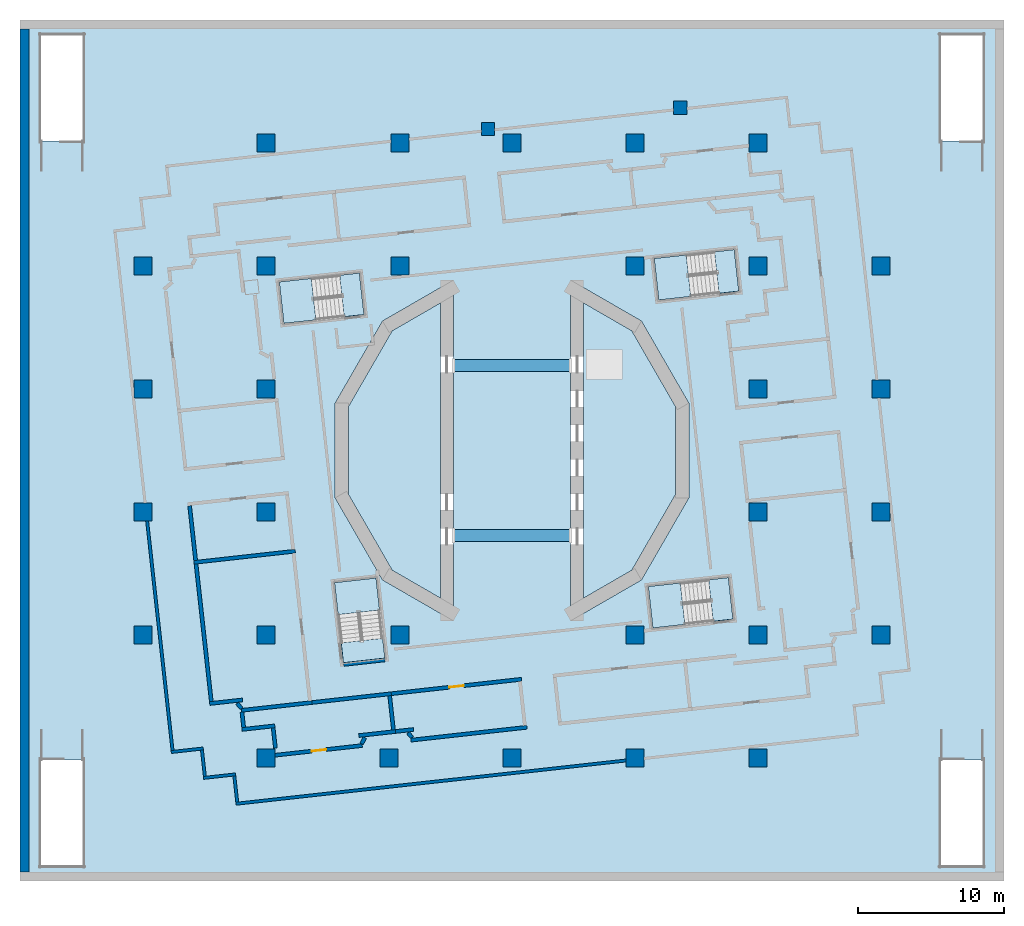
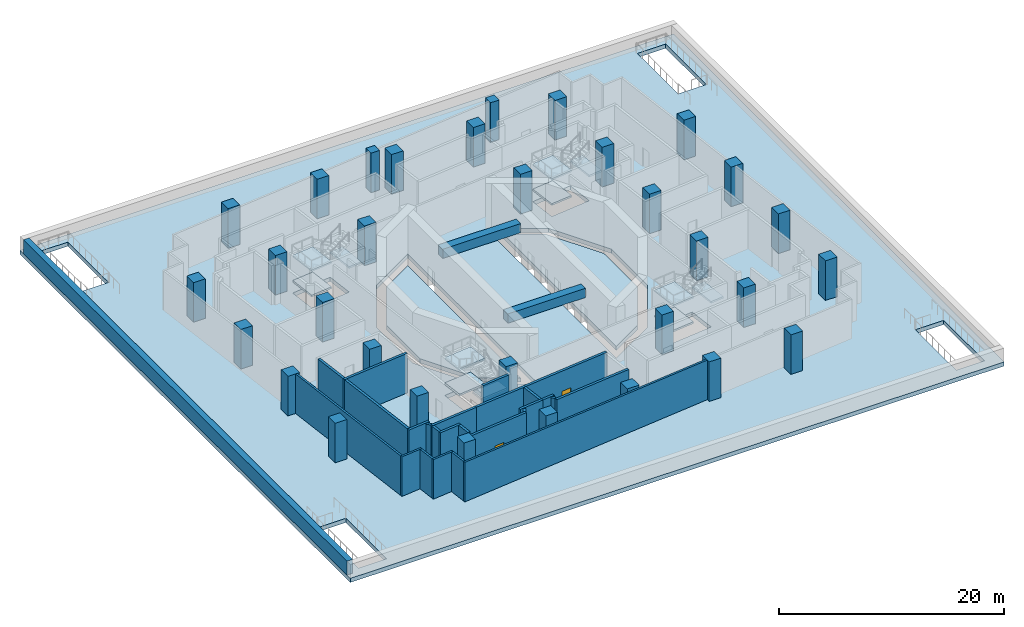
# One storey, part 1 of 12: 32 columns, 26 walls, 15 slabs, 2 beams, 2 doors, 2 openings, 4 elements without a shape of their own.
"""IFC4 building model written with IfcOpenShell, lengths in metres."""

from ifc_helpers import new_model, si_unit, direction, frame, frame_2d, origin, origin_2d, place, context, subcontext, project, spatial, polyline, rectangle, outline, extrude, material, layer, layer_set, material_profile, profile_set, type_object, element, fill, aggregate, save


model = new_model("IFC4")

# Units and contexts
model_context = context("Model", 3, precision=1e-05, world=origin(), true_north=direction((0.0, 1.0)))
body_context = subcontext(model_context, "Body", "Model", "MODEL_VIEW")
ifc_project = project(units=[si_unit("LENGTHUNIT", "METRE"), si_unit("AREAUNIT", "SQUARE_METRE"), si_unit("VOLUMEUNIT", "CUBIC_METRE"), si_unit("PLANEANGLEUNIT", "RADIAN"), si_unit("MASSUNIT", "GRAM", prefix="KILO")], contexts=[model_context])

# Site, building, storey
site_placement = place(None, origin())
site = spatial("IfcSite", under=ifc_project, at=site_placement, CompositionType="ELEMENT")
building_placement = place(site_placement, origin())
building = spatial("IfcBuilding", under=site, at=building_placement, Name="Cantera Rosa Tower", CompositionType="ELEMENT")
storey_placement = place(building_placement, frame((0.0, 0.0, 37.0)))
storey = spatial("IfcBuildingStorey", under=building, at=storey_placement, Name="L06", CompositionType="ELEMENT", Elevation=37.0)

# Columns
ifc_material_1 = material(Name="Concrete C60/75", Category="concrete")
ifc_material_profile_1 = material_profile(ifc_material_1, rectangle(XDim=1.199951171875, YDim=1.199951171875, at=origin_2d()), Name="Column 1200x1200")
ifc_profile_set_1 = profile_set([ifc_material_profile_1], Name="Concrete C60/75")
column_type_1 = type_object("IfcColumnType", Name="Column 1200x1200", PredefinedType="COLUMN", material=ifc_profile_set_1)
for number, where, z_axis, x_axis, name in (
    (1, (-25.199951171875, -12.60009765625, 0.0), (0.0, 0.0, 1.0), (1.0, 0.0, 0.0), "Column C-P-2C"),
    (2, (-25.199951171875, -4.199951171875, 0.0), (0.0, 0.0, 1.0), (1.0, 0.0, 0.0), "Column C-P-2D"),
    (3, (-25.199951171875, 4.199951171875, 0.0), (0.0, 0.0, 1.0), (1.0, 0.0, 0.0), "Column C-P-2E"),
    (4, (-25.199951171875, 12.60009765625, 0.0), (0.0, 0.0, 1.0), (1.0, 0.0, 0.0), "Column C-P-2F"),
    (5, (-16.800048828125, -21.0, 0.0), (0.0, 0.0, 1.0), (1.0, 0.0, 0.0), "Column C-P-3B"),
    (6, (-16.800048828125, -12.60009765625, 0.0), (0.0, 0.0, 1.0), (1.0, 0.0, 0.0), "Column C-P-3C"),
    (7, (-16.800048828125, -4.199951171875, 0.0), (0.0, 0.0, 1.0), (1.0, 0.0, 0.0), "Column C-P-3D"),
    (8, (-16.800048828125, 4.199951171875, 0.0), (0.0, 0.0, 1.0), (1.0, 0.0, 0.0), "Column C-P-3E"),
    (9, (-16.800048828125, 12.60009765625, 0.0), (0.0, 0.0, 1.0), (1.0, 0.0, 0.0), "Column C-P-3F"),
    (10, (-16.800048828125, 21.0, 0.0), (0.0, 0.0, 1.0), (1.0, 0.0, 0.0), "Column C-P-3G"),
    (11, (-8.39990234375, -21.0, 0.0), (0.0, 0.0, 1.0), (1.0, 0.0, 0.0), "Column C-P-4B"),
    (12, (-7.64990234375, -12.60009765625, 0.0), (0.0, 0.0, 1.0), (1.0, 0.0, 0.0), "Column C-P-4C"),
    (13, (-7.64990234375, 12.60009765625, 0.0), (0.0, 0.0, 1.0), (1.0, 0.0, 0.0), "Column C-B-4N2"),
    (14, (-7.64990234375, 21.0, 0.0), (0.0, 0.0, 1.0), (1.0, 0.0, 0.0), "Column C-B-4N3"),
    (15, (0.0, -21.0, 0.0), (0.0, 0.0, 1.0), (1.0, 0.0, 0.0), "Column C-P-5B"),
    (16, (0.0, 21.0, 0.0), (0.0, 0.0, 1.0), (1.0, 0.0, 0.0), "Column C-P-5G"),
    (17, (8.39990234375, -21.0, 0.0), (0.0, 0.0, 1.0), (1.0, 0.0, 0.0), "Column C-P-6B"),
    (18, (8.39990234375, -12.60009765625, 0.0), (0.0, 0.0, 1.0), (1.0, 0.0, 0.0), "Column C-P-6C"),
    (19, (8.39990234375, 12.60009765625, 0.0), (0.0, 0.0, 1.0), (1.0, 0.0, 0.0), "Column C-P-6F"),
    (20, (8.39990234375, 21.0, 0.0), (0.0, 0.0, 1.0), (1.0, 0.0, 0.0), "Column C-P-6G"),
    (21, (16.800048828125, -21.0, 0.0), (0.0, 0.0, 1.0), (1.0, 0.0, 0.0), "Column C-P-7B"),
    (22, (16.800048828125, -12.60009765625, 0.0), (0.0, 0.0, 1.0), (1.0, 0.0, 0.0), "Column C-P-7C"),
    (23, (16.800048828125, -4.199951171875, 0.0), (0.0, 0.0, 1.0), (1.0, 0.0, 0.0), "Column C-P-7D"),
    (24, (16.800048828125, 4.199951171875, 0.0), (0.0, 0.0, 1.0), (1.0, 0.0, 0.0), "Column C-P-7E"),
    (25, (16.800048828125, 12.60009765625, 0.0), (0.0, 0.0, 1.0), (1.0, 0.0, 0.0), "Column C-P-7F"),
    (26, (16.800048828125, 21.0, 0.0), (0.0, 0.0, 1.0), (1.0, 0.0, 0.0), "Column C-P-7G"),
    (27, (25.199951171875, -12.60009765625, 0.0), (0.0, 0.0, 1.0), (1.0, 0.0, 0.0), "Column C-P-8C"),
    (28, (25.199951171875, -4.199951171875, 0.0), (0.0, 0.0, 1.0), (1.0, 0.0, 0.0), "Column C-P-8D"),
    (29, (25.199951171875, 4.199951171875, 0.0), (0.0, 0.0, 1.0), (1.0, 0.0, 0.0), "Column C-P-8E"),
    (30, (25.199951171875, 12.60009765625, 0.0), (0.0, 0.0, 1.0), (1.0, 0.0, 0.0), "Column C-P-8F"),
):
    element("IfcColumn", number, at=place(storey_placement, frame(where, z_axis=z_axis, x_axis=x_axis)), inside=storey, type_object=column_type_1, Name=name, PredefinedType="COLUMN", context=body_context, shape_type="SweptSolid", body=[
        extrude(rectangle(XDim=1.199951171875, YDim=1.199951171875, at=origin_2d()), origin(), (0.0, 0.0, 1.0), 4.300048828125),
    ])
ifc_material_2 = material(Name="Concrete C70/85", Category="concrete")
ifc_material_profile_2 = material_profile(ifc_material_2, rectangle(XDim=0.89990234375, YDim=0.89990234375, at=origin_2d()), Name="RC COLUMN RC900X900 C70/85")
ifc_profile_set_2 = profile_set([ifc_material_profile_2], Name="Concrete C70/85")
column_type_2 = type_object("IfcColumnType", Name="RC COLUMN RC900X900 C70/85", PredefinedType="COLUMN", material=ifc_profile_set_2)
for number, where, z_axis, x_axis, name in (
    (31, (11.48779296875, 23.41015625, 0.0), (0.0, 0.0, 1.0), (1.0, 0.0, 0.0), "CP-L07-1 L06"),
    (32, (-1.6318359375, 21.9541015625, 0.0), (0.0, 0.0, 1.0), (1.0, 0.0, 0.0), "CP-L07-2 L06"),
):
    element("IfcColumn", number, at=place(storey_placement, frame(where, z_axis=z_axis, x_axis=x_axis)), inside=storey, type_object=column_type_2, Name=name, PredefinedType="COLUMN", context=body_context, shape_type="SweptSolid", body=[
        extrude(rectangle(XDim=0.89990234375, YDim=0.89990234375, at=origin_2d()), origin(), (0.0, 0.0, 1.0), 4.300048828125),
    ])

# Beams
ifc_material_3 = material(Name="Concrete C70/85", Category="concrete")
ifc_material_profile_3 = material_profile(ifc_material_3, rectangle(XDim=0.800048828125, YDim=1.0, at=origin_2d()), Name="RC COUPLING BEAM RC800X1000 C70/85")
ifc_profile_set_3 = profile_set([ifc_material_profile_3], Name="Concrete C70/85")
beam_type = type_object("IfcBeamType", Name="RC COUPLING BEAM RC800X1000 C70/85", PredefinedType="BEAM", material=ifc_profile_set_3)
for number, where, z_axis, x_axis, name in (
    (33, (-4.0, -5.800048828125, 3.800048828125), (1.0, 0.0, 0.0), (0.0, 1.0, 0.0), "CPL-L06-1"),
    (34, (-4.0, 5.800048828125, 3.800048828125), (1.0, 0.0, 0.0), (0.0, 1.0, 0.0), "CPL-L06-2"),
):
    element("IfcBeam", number, at=place(storey_placement, frame(where, z_axis=z_axis, x_axis=x_axis)), inside=storey, type_object=beam_type, Name=name, PredefinedType="BEAM", context=body_context, shape_type="SweptSolid", body=[
        extrude(rectangle(XDim=0.800048828125, YDim=1.0, at=origin_2d()), origin(), (0.0, 0.0, 1.0), 8.0),
    ])

# Slabs
ifc_material_4 = material(Name="Concrete C50/60", Category="concrete")
ifc_layer_1 = layer(ifc_material_4, 0.449951171875)
ifc_layer_set_1 = layer_set([ifc_layer_1], Name="RC TRANSFER PLATE 450 C50/60")
slab_type_1 = type_object("IfcSlabType", Name="RC TRANSFER PLATE 450 C50/60", PredefinedType="FLOOR", material=ifc_layer_set_1)
slab_1_placement = place(storey_placement, frame((0.0, 0.0, -0.449951171875)))
element("IfcSlab", 35, at=slab_1_placement, inside=storey, type_object=slab_type_1, Name="SLAB L06 floor 1", PredefinedType="FLOOR", context=body_context, shape_type="SweptSolid", body=[
    extrude(outline(polyline([(-8.179931640625, 8.179931640625), (-4.89990234375, 10.07373046875), (-4.89990234375, -10.07373046875), (-8.179931640625, -8.179931640625), (-11.174072265625, -2.994140625), (-11.174072265625, 2.994140625), (-8.179931640625, 8.179931640625)])), origin(), (0.0, 0.0, 1.0), 0.449951171875),
])
slab_2_placement = place(storey_placement, frame((0.0, 0.0, -0.449951171875)))
element("IfcSlab", 36, at=slab_2_placement, inside=storey, type_object=slab_type_1, Name="SLAB L06 floor 2", PredefinedType="FLOOR", context=body_context, shape_type="SweptSolid", body=[
    extrude(outline(polyline([(33.60009765625, 29.39990234375), (33.60009765625, -29.39990234375), (-33.60009765625, -29.39990234375), (-33.60009765625, 29.39990234375), (33.60009765625, 29.39990234375)]), holes=[polyline([(-29.27490234375, -21.136962890625), (-32.175048828125, -21.136962890625), (-32.175048828125, -28.375), (-29.27490234375, -28.375), (-29.27490234375, -21.136962890625)]), polyline([(32.175048828125, -21.136962890625), (29.27490234375, -21.136962890625), (29.27490234375, -28.375), (32.175048828125, -28.375), (32.175048828125, -21.136962890625)]), polyline([(-9.287109375, -8.709716796875), (-12.11962890625, -9.02392578125), (-11.6630859375, -13.13671875), (-8.83056640625, -12.822265625), (-9.287109375, -8.709716796875)]), polyline([(13.42236328125, -8.83056640625), (9.3095703125, -9.287109375), (9.6240234375, -12.11962890625), (13.73681640625, -11.6630859375), (13.42236328125, -8.83056640625)]), polyline([(-8.8388671875, 8.8388671875), (-12.07421875, 3.235107421875), (-12.07421875, -3.235107421875), (-8.8388671875, -8.8388671875), (-4.0, -11.632568359375), (-4.0, 11.632568359375), (-8.8388671875, 8.8388671875)]), polyline([(12.07421875, -3.235107421875), (12.07421875, 3.235107421875), (8.8388671875, 8.8388671875), (4.0, 11.632568359375), (4.0, -11.632568359375), (8.8388671875, -8.8388671875), (12.07421875, -3.235107421875)]), polyline([(-15.890380859375, 11.512939453125), (-15.575927734375, 8.680419921875), (-11.46337890625, 9.13671875), (-11.777587890625, 11.969482421875), (-15.890380859375, 11.512939453125)]), polyline([(9.709716796875, 13.11279296875), (10.02392578125, 10.2802734375), (14.13671875, 10.73681640625), (13.822265625, 13.5693359375), (9.709716796875, 13.11279296875)]), polyline([(-32.175048828125, 28.375), (-32.175048828125, 21.136962890625), (-29.27490234375, 21.136962890625), (-29.27490234375, 28.375), (-32.175048828125, 28.375)]), polyline([(29.27490234375, 28.375), (29.27490234375, 21.136962890625), (32.175048828125, 21.136962890625), (32.175048828125, 28.375), (29.27490234375, 28.375)])]), origin(), (0.0, 0.0, 1.0), 0.449951171875),
])
slab_3_placement = place(storey_placement, frame((0.0, 0.0, -0.449951171875)))
element("IfcSlab", 37, at=slab_3_placement, inside=storey, type_object=slab_type_1, Name="SLAB L06 floor 3", PredefinedType="FLOOR", context=body_context, shape_type="SweptSolid", body=[
    extrude(outline(polyline([(4.89990234375, -10.07373046875), (4.89990234375, 10.07373046875), (8.179931640625, 8.179931640625), (11.174072265625, 2.994140625), (11.174072265625, -2.994140625), (8.179931640625, -8.179931640625), (4.89990234375, -10.07373046875)])), origin(), (0.0, 0.0, 1.0), 0.449951171875),
])

# Stair, slabs
ifc_material_5 = material(Name="Concrete C35/45", Category="concrete")
stair_type = type_object("IfcStairType", Name="EXIT STAIR 1350 DOGLEG", PredefinedType="HALF_TURN_STAIR", material=ifc_material_5)
stair_1_placement = place(storey_placement, origin())
stair_1 = element("IfcStair", 38, at=stair_1_placement, inside=storey, type_object=stair_type, Name="L06 ST-11", PredefinedType="HALF_TURN_STAIR")
ifc_material_6 = material(Name="Concrete C35/45", Category="concrete")
ifc_layer_2 = layer(ifc_material_6, 0.199951171875)
ifc_layer_set_2 = layer_set([ifc_layer_2], Name="STAIR LANDING 200")
slab_type_2 = type_object("IfcSlabType", Name="STAIR LANDING 200", PredefinedType="LANDING", material=ifc_layer_set_2)
slab_4_placement = place(storey_placement, frame((0.0, 0.0, 1.175048828125)))
slab_4 = element("IfcSlab", 39, at=slab_4_placement, type_object=slab_type_2, Name="ST-11 landing 1", PredefinedType="LANDING", context=body_context, shape_type="SweptSolid", body=[
    extrude(outline(polyline([(11.898193359375, 13.35595703125), (9.70947265625, 13.113037109375), (10.02392578125, 10.2802734375), (12.212646484375, 10.523193359375), (11.898193359375, 13.35595703125)])), origin(), (0.0, 0.0, 1.0), 0.199951171875),
])
slab_5_placement = place(storey_placement, frame((0.0, 0.0, 2.550048828125)))
slab_5 = element("IfcSlab", 40, at=slab_5_placement, type_object=slab_type_2, Name="ST-11 landing 2", PredefinedType="LANDING", context=body_context, shape_type="SweptSolid", body=[
    extrude(outline(polyline([(15.176025390625, 13.7197265625), (13.822265625, 13.5693359375), (14.13671875, 10.73681640625), (15.490478515625, 10.886962890625), (15.176025390625, 13.7197265625)])), origin(), (0.0, 0.0, 1.0), 0.199951171875),
])
slab_6_placement = place(storey_placement, frame((0.0, 0.0, 3.925048828125)))
slab_6 = element("IfcSlab", 41, at=slab_6_placement, type_object=slab_type_2, Name="ST-11 landing 3", PredefinedType="LANDING", context=body_context, shape_type="SweptSolid", body=[
    extrude(outline(polyline([(11.898193359375, 13.35595703125), (9.70947265625, 13.113037109375), (10.02392578125, 10.2802734375), (12.212646484375, 10.523193359375), (11.898193359375, 13.35595703125)])), origin(), (0.0, 0.0, 1.0), 0.199951171875),
])
aggregate(stair_1, [slab_4, slab_5, slab_6])

stair_2_placement = place(storey_placement, origin())
stair_2 = element("IfcStair", 42, at=stair_2_placement, inside=storey, type_object=stair_type, Name="L06 ST-12", PredefinedType="HALF_TURN_STAIR")
slab_7_placement = place(storey_placement, frame((0.0, 0.0, 1.175048828125)))
slab_7 = element("IfcSlab", 43, at=slab_7_placement, type_object=slab_type_2, Name="ST-12 landing 1", PredefinedType="LANDING", context=body_context, shape_type="SweptSolid", body=[
    extrude(outline(polyline([(-13.701904296875, 11.755859375), (-15.890380859375, 11.512939453125), (-15.575927734375, 8.680419921875), (-13.387451171875, 8.92333984375), (-13.701904296875, 11.755859375)])), origin(), (0.0, 0.0, 1.0), 0.199951171875),
])
slab_8_placement = place(storey_placement, frame((0.0, 0.0, 2.550048828125)))
slab_8 = element("IfcSlab", 44, at=slab_8_placement, type_object=slab_type_2, Name="ST-12 landing 2", PredefinedType="LANDING", context=body_context, shape_type="SweptSolid", body=[
    extrude(outline(polyline([(-10.424072265625, 12.11962890625), (-11.777587890625, 11.969482421875), (-11.46337890625, 9.13671875), (-10.109619140625, 9.287109375), (-10.424072265625, 12.11962890625)])), origin(), (0.0, 0.0, 1.0), 0.199951171875),
])
slab_9_placement = place(storey_placement, frame((0.0, 0.0, 3.925048828125)))
slab_9 = element("IfcSlab", 45, at=slab_9_placement, type_object=slab_type_2, Name="ST-12 landing 3", PredefinedType="LANDING", context=body_context, shape_type="SweptSolid", body=[
    extrude(outline(polyline([(-13.701904296875, 11.755859375), (-15.890380859375, 11.512939453125), (-15.575927734375, 8.680419921875), (-13.387451171875, 8.92333984375), (-13.701904296875, 11.755859375)])), origin(), (0.0, 0.0, 1.0), 0.199951171875),
])
aggregate(stair_2, [slab_7, slab_8, slab_9])

stair_3_placement = place(storey_placement, origin())
stair_3 = element("IfcStair", 46, at=stair_3_placement, inside=storey, type_object=stair_type, Name="L06 ST-13", PredefinedType="HALF_TURN_STAIR")
slab_10_placement = place(storey_placement, frame((0.0, 0.0, 1.175048828125)))
slab_10 = element("IfcSlab", 47, at=slab_10_placement, type_object=slab_type_2, Name="ST-13 landing 1", PredefinedType="LANDING", context=body_context, shape_type="SweptSolid", body=[
    extrude(outline(polyline([(-9.044189453125, -10.898193359375), (-9.287109375, -8.70947265625), (-12.11962890625, -9.02392578125), (-11.876708984375, -11.212646484375), (-9.044189453125, -10.898193359375)])), origin(), (0.0, 0.0, 1.0), 0.199951171875),
])
slab_11_placement = place(storey_placement, frame((0.0, 0.0, 2.550048828125)))
slab_11 = element("IfcSlab", 48, at=slab_11_placement, type_object=slab_type_2, Name="ST-13 landing 2", PredefinedType="LANDING", context=body_context, shape_type="SweptSolid", body=[
    extrude(outline(polyline([(-8.680419921875, -14.176025390625), (-8.83056640625, -12.822265625), (-11.6630859375, -13.13671875), (-11.512939453125, -14.490478515625), (-8.680419921875, -14.176025390625)])), origin(), (0.0, 0.0, 1.0), 0.199951171875),
])
slab_12_placement = place(storey_placement, frame((0.0, 0.0, 3.925048828125)))
slab_12 = element("IfcSlab", 49, at=slab_12_placement, type_object=slab_type_2, Name="ST-13 landing 3", PredefinedType="LANDING", context=body_context, shape_type="SweptSolid", body=[
    extrude(outline(polyline([(-9.044189453125, -10.898193359375), (-9.287109375, -8.70947265625), (-12.11962890625, -9.02392578125), (-11.876708984375, -11.212646484375), (-9.044189453125, -10.898193359375)])), origin(), (0.0, 0.0, 1.0), 0.199951171875),
])
aggregate(stair_3, [slab_10, slab_11, slab_12])

stair_4_placement = place(storey_placement, origin())
stair_4 = element("IfcStair", 50, at=stair_4_placement, inside=storey, type_object=stair_type, Name="L06 ST-14", PredefinedType="HALF_TURN_STAIR")
slab_13_placement = place(storey_placement, frame((0.0, 0.0, 1.175048828125)))
slab_13 = element("IfcSlab", 51, at=slab_13_placement, type_object=slab_type_2, Name="ST-14 landing 1", PredefinedType="LANDING", context=body_context, shape_type="SweptSolid", body=[
    extrude(outline(polyline([(11.498046875, -9.044189453125), (9.3095703125, -9.287109375), (9.6240234375, -12.11962890625), (11.8125, -11.876708984375), (11.498046875, -9.044189453125)])), origin(), (0.0, 0.0, 1.0), 0.199951171875),
])
slab_14_placement = place(storey_placement, frame((0.0, 0.0, 2.550048828125)))
slab_14 = element("IfcSlab", 52, at=slab_14_placement, type_object=slab_type_2, Name="ST-14 landing 2", PredefinedType="LANDING", context=body_context, shape_type="SweptSolid", body=[
    extrude(outline(polyline([(14.776123046875, -8.680419921875), (13.42236328125, -8.83056640625), (13.73681640625, -11.6630859375), (15.09033203125, -11.512939453125), (14.776123046875, -8.680419921875)])), origin(), (0.0, 0.0, 1.0), 0.199951171875),
])
slab_15_placement = place(storey_placement, frame((0.0, 0.0, 3.925048828125)))
slab_15 = element("IfcSlab", 53, at=slab_15_placement, type_object=slab_type_2, Name="ST-14 landing 3", PredefinedType="LANDING", context=body_context, shape_type="SweptSolid", body=[
    extrude(outline(polyline([(11.498046875, -9.044189453125), (9.3095703125, -9.287109375), (9.6240234375, -12.11962890625), (11.8125, -11.876708984375), (11.498046875, -9.044189453125)])), origin(), (0.0, 0.0, 1.0), 0.199951171875),
])
aggregate(stair_4, [slab_13, slab_14, slab_15])

# Walls
ifc_material_7 = material(Name="Masonry blockwork", Category="masonry")
ifc_layer_3 = layer(ifc_material_7, 0.199951171875)
ifc_layer_set_3 = layer_set([ifc_layer_3], Name="Blockwork partition 200")
wall_type_1 = type_object("IfcWallType", Name="Blockwork partition 200", PredefinedType="PARTITIONING", material=ifc_layer_set_3)
wall_1_placement = place(storey_placement, frame((-18.76513671875, -24.0166015625, 0.0), z_axis=(0.0, 0.0, 1.0), x_axis=(-0.110401753874, 0.993887042245, 0.0)))
element("IfcWall", 54, at=wall_1_placement, inside=storey, type_object=wall_type_1, Name="Partition L06-110", PredefinedType="PARTITIONING", context=body_context, shape_type="SweptSolid", body=[
    extrude(rectangle(XDim=1.800048828125, YDim=0.199951171875, at=frame_2d((0.89990234375, 0.0))), origin(), (0.0, 0.0, 1.0), 4.300048828125),
])
wall_2_placement = place(storey_placement, frame((-23.2705078125, -20.5927734375, 0.0), z_axis=(0.0, 0.0, 1.0), x_axis=(0.99389861097, 0.11029755714, 0.0)))
element("IfcWall", 55, at=wall_2_placement, inside=storey, type_object=wall_type_1, Name="Partition L06-124", PredefinedType="PARTITIONING", context=body_context, shape_type="SweptSolid", body=[
    extrude(rectangle(XDim=2.2001953125, YDim=0.199951171875, at=frame_2d((1.10009765625, 0.0))), origin(), (0.0, 0.0, 1.0), 4.300048828125),
])
wall_3_placement = place(storey_placement, frame((-21.06201171875, -22.35986328125, 0.0), z_axis=(0.0, 0.0, 1.0), x_axis=(0.993897260817, 0.110309722784, 0.0)))
element("IfcWall", 56, at=wall_3_placement, inside=storey, type_object=wall_type_1, Name="Partition L06-126", PredefinedType="PARTITIONING", context=body_context, shape_type="SweptSolid", body=[
    extrude(rectangle(XDim=2.199951171875, YDim=0.199951171875, at=frame_2d((1.10009765625, 0.0))), origin(), (0.0, 0.0, 1.0), 4.300048828125),
])
wall_4_placement = place(storey_placement, frame((-18.853515625, -24.126953125, 0.0), z_axis=(0.0, 0.0, 1.0), x_axis=(0.993896821063, 0.11031368492, 0.0)))
element("IfcWall", 57, at=wall_4_placement, inside=storey, type_object=wall_type_1, Name="Partition L06-128", PredefinedType="PARTITIONING", context=body_context, shape_type="SweptSolid", body=[
    extrude(rectangle(XDim=26.832275390625, YDim=0.199951171875, at=frame_2d((13.416015625, 0.0))), origin(), (0.0, 0.0, 1.0), 4.300048828125),
])
wall_5_placement = place(storey_placement, frame((-20.9736328125, -22.24951171875, 0.0), z_axis=(0.0, 0.0, 1.0), x_axis=(-0.110267775292, 0.993901915549, 0.0)))
element("IfcWall", 58, at=wall_5_placement, inside=storey, type_object=wall_type_1, Name="Partition L06-130", PredefinedType="PARTITIONING", context=body_context, shape_type="SweptSolid", body=[
    extrude(rectangle(XDim=1.800048828125, YDim=0.199951171875, at=frame_2d((0.89990234375, 0.0))), origin(), (0.0, 0.0, 1.0), 4.300048828125),
])
wall_6_placement = place(storey_placement, frame((-23.181884765625, -20.482421875, 0.0), z_axis=(0.0, 0.0, 1.0), x_axis=(-0.110317938061, 0.993896348993, 0.0)))
element("IfcWall", 59, at=wall_6_placement, inside=storey, type_object=wall_type_1, Name="Partition L06-132", PredefinedType="PARTITIONING", context=body_context, shape_type="SweptSolid", body=[
    extrude(rectangle(XDim=15.8056640625, YDim=0.199951171875, at=frame_2d((7.90283203125, 0.0))), origin(), (0.0, 0.0, 1.0), 4.300048828125),
])
ifc_material_8 = material(Name="Masonry blockwork", Category="masonry")
ifc_layer_4 = layer(ifc_material_8, 0.25)
ifc_layer_set_4 = layer_set([ifc_layer_4], Name="Fire-rated wall 250")
wall_type_2 = type_object("IfcWallType", Name="Fire-rated wall 250", PredefinedType="PARTITIONING", material=ifc_layer_set_4)
wall_7_placement = place(storey_placement, frame((-18.32568359375, -18.912109375, 0.0), z_axis=(0.0, 0.0, 1.0), x_axis=(-0.110201865026, 0.993909225707, 0.0)))
element("IfcWall", 60, at=wall_7_placement, inside=storey, type_object=wall_type_2, Name="Fire wall L06-17", PredefinedType="PARTITIONING", context=body_context, shape_type="SweptSolid", body=[
    extrude(rectangle(XDim=1.050048828125, YDim=0.25, at=frame_2d((0.52490234375, 0.0))), origin(), (0.0, 0.0, 1.0), 4.300048828125),
])
wall_8_placement = place(storey_placement, frame((-18.468994140625, -17.619873046875, 0.0), z_axis=(0.0, 0.0, 1.0), x_axis=(-0.647265523575, 0.762264614154, 0.0)))
element("IfcWall", 61, at=wall_8_placement, inside=storey, type_object=wall_type_2, Name="Fire wall L06-18", PredefinedType="PARTITIONING", context=body_context, shape_type="SweptSolid", body=[
    extrude(rectangle(XDim=0.462890625, YDim=0.25, at=frame_2d((0.2314453125, 0.0))), origin(), (0.0, 0.0, 1.0), 4.300048828125),
])
wall_9_placement = place(storey_placement, frame((-16.156494140625, -20.324951171875, 0.0), z_axis=(0.0, 0.0, 1.0), x_axis=(-0.110354623568, 0.993892276385, 0.0)))
element("IfcWall", 62, at=wall_9_placement, inside=storey, type_object=wall_type_2, Name="Fire wall L06-23", PredefinedType="PARTITIONING", context=body_context, shape_type="SweptSolid", body=[
    extrude(rectangle(XDim=1.393798828125, YDim=0.25, at=frame_2d((0.69677734375, 0.0))), origin(), (0.0, 0.0, 1.0), 4.300048828125),
])
wall_10_placement = place(storey_placement, frame((-8.0947265625, -19.07958984375, 0.0), z_axis=(0.0, 0.0, 1.0), x_axis=(-0.110351542432, 0.993892618487, 0.0)))
element("IfcWall", 63, at=wall_10_placement, inside=storey, type_object=wall_type_2, Name="Fire wall L06-29", PredefinedType="PARTITIONING", context=body_context, shape_type="SweptSolid", body=[
    extrude(rectangle(XDim=2.34521484375, YDim=0.25, at=frame_2d((1.172607421875, 0.0))), origin(), (0.0, 0.0, 1.0), 4.300048828125),
])
wall_11_placement = place(storey_placement, frame((-18.47998046875, -17.746826171875, 0.0), z_axis=(0.0, 0.0, 1.0), x_axis=(0.993899072422, 0.11029339889, 0.0)))
element("IfcWall", 64, at=wall_11_placement, inside=storey, type_object=wall_type_2, Name="Fire wall L06-47", PredefinedType="PARTITIONING", context=body_context, shape_type="SweptSolid", body=[
    extrude(rectangle(XDim=4.849853515625, YDim=0.25, at=frame_2d((2.4248046875, 0.0))), origin(), (0.0, 0.0, 1.0), 4.300048828125),
])
wall_12_placement = place(storey_placement, frame((-13.65966796875, -17.2119140625, 0.0), z_axis=(0.0, 0.0, 1.0), x_axis=(0.993894655727, 0.110333192277, 0.0)))
element("IfcWall", 65, at=wall_12_placement, inside=storey, type_object=wall_type_2, Name="Fire wall L06-48", PredefinedType="PARTITIONING", context=body_context, shape_type="SweptSolid", body=[
    extrude(rectangle(XDim=5.449951171875, YDim=0.25, at=frame_2d((2.72509765625, 0.0))), origin(), (0.0, 0.0, 1.0), 4.300048828125),
])

# Wall, opening, door
wall_13_placement = place(storey_placement, frame((-8.242919921875, -16.610595703125, 0.0), z_axis=(0.0, 0.0, 1.0), x_axis=(0.993896701795, 0.110314759491, 0.0)))
wall_13 = element("IfcWall", 66, at=wall_13_placement, inside=storey, type_object=wall_type_2, Name="Fire wall L06-49", PredefinedType="PARTITIONING", context=body_context, shape_type="SweptSolid", body=[
    extrude(rectangle(XDim=8.949951171875, YDim=0.25, at=frame_2d((4.47509765625, 0.0))), origin(), (0.0, 0.0, 1.0), 4.300048828125),
])
opening_1_placement = place(wall_13_placement, frame((3.97509765625, 0.0, 0.0)))
opening_1 = element("IfcOpeningElement", 67, at=opening_1_placement, cuts=wall_13, Name="Opening L06-010", PredefinedType="OPENING", context=body_context, shape_type="SweptSolid", body=[
    extrude(rectangle(XDim=1.0, YDim=2.10009765625, at=frame_2d((0.5, 1.050048828125))), frame((0.0, 0.135009765625, 0.0), z_axis=(0.0, -1.0, 0.0), x_axis=(1.0, 0.0, 0.0)), (0.0, 0.0, 1.0), 0.27001953125),
])
ifc_material_9 = material(Name="Steel S355J2 (EN 10025-2)", Category="steel")
door_type = type_object("IfcDoorType", Name="Fire door 1000x2100", OperationType="NOTDEFINED", PredefinedType="DOOR", material=ifc_material_9)
door_1_placement = place(opening_1_placement, origin())
door_1 = element("IfcDoor", 68, at=door_1_placement, inside=storey, type_object=door_type, Name="Door L06-010", OverallHeight=2.10009765625, OverallWidth=1.0, PredefinedType="DOOR", context=body_context, shape_type="SweptSolid", body=[
    extrude(rectangle(XDim=1.0, YDim=2.10009765625, at=frame_2d((0.5, 1.050048828125))), frame((0.0, 0.02490234375, 0.0), z_axis=(0.0, -1.0, 0.0), x_axis=(1.0, 0.0, 0.0)), (0.0, 0.0, 1.0), 0.050048828125),
])
fill(opening_1, door_1)

# Walls
wall_14_placement = place(storey_placement, frame((-21.714599609375, -7.64208984375, 0.0), z_axis=(0.0, 0.0, 1.0), x_axis=(0.993898291102, 0.110300439459, 0.0)))
element("IfcWall", 69, at=wall_14_placement, inside=storey, type_object=wall_type_2, Name="Fire wall L06-59", PredefinedType="PARTITIONING", context=body_context, shape_type="SweptSolid", body=[
    extrude(rectangle(XDim=6.9501953125, YDim=0.25, at=frame_2d((3.47509765625, 0.0))), origin(), (0.0, 0.0, 1.0), 4.300048828125),
])
for number, where, z_axis, x_axis, name in (
    (70, (-20.64453125, -17.28271484375, 0.0), (0.0, 0.0, 1.0), (0.993904888096, 0.110240978854, 0.0), "Fire wall L06-67"),
    (71, (-18.43603515625, -19.050048828125, 0.0), (0.0, 0.0, 1.0), (0.99389299368, 0.110348163163, 0.0), "Fire wall L06-87"),
):
    element("IfcWall", number, at=place(storey_placement, frame(where, z_axis=z_axis, x_axis=x_axis)), inside=storey, type_object=wall_type_2, Name=name, PredefinedType="PARTITIONING", context=body_context, shape_type="SweptSolid", body=[
        extrude(rectangle(XDim=2.25, YDim=0.25, at=frame_2d((1.125, 0.0))), origin(), (0.0, 0.0, 1.0), 4.300048828125),
    ])
wall_15_placement = place(storey_placement, frame((-10.45654296875, -19.467529296875, 0.0), z_axis=(0.0, 0.0, 1.0), x_axis=(0.993890835237, 0.110367602272, 0.0)))
element("IfcWall", 72, at=wall_15_placement, inside=storey, type_object=wall_type_2, Name="Fire wall L06-89", PredefinedType="PARTITIONING", context=body_context, shape_type="SweptSolid", body=[
    extrude(rectangle(XDim=2.51513671875, YDim=0.25, at=frame_2d((1.257568359375, 0.0))), origin(), (0.0, 0.0, 1.0), 4.300048828125),
])
wall_16_placement = place(storey_placement, frame((-7.956787109375, -19.18994140625, 0.0), z_axis=(0.0, 0.0, 1.0), x_axis=(0.993895784331, 0.110323025195, 0.0)))
element("IfcWall", 73, at=wall_16_placement, inside=storey, type_object=wall_type_2, Name="Fire wall L06-90", PredefinedType="PARTITIONING", context=body_context, shape_type="SweptSolid", body=[
    extrude(rectangle(XDim=1.23486328125, YDim=0.25, at=frame_2d((0.617431640625, 0.0))), origin(), (0.0, 0.0, 1.0), 4.300048828125),
])
wall_17_placement = place(storey_placement, frame((-10.268310546875, -20.030029296875, 0.0), z_axis=(0.0, 0.0, 1.0), x_axis=(0.464221133473, 0.885719334348, 0.0)))
element("IfcWall", 74, at=wall_17_placement, inside=storey, type_object=wall_type_2, Name="Fire wall L06-91", PredefinedType="PARTITIONING", context=body_context, shape_type="SweptSolid", body=[
    extrude(rectangle(XDim=0.468505859375, YDim=0.25, at=frame_2d((0.234375, 0.0))), origin(), (0.0, 0.0, 1.0), 4.300048828125),
])

# Wall, opening, door
wall_18_placement = place(storey_placement, frame((-16.216796875, -20.81591796875, 0.0), z_axis=(0.0, 0.0, 1.0), x_axis=(0.993900528006, 0.110280281234, 0.0)))
wall_18 = element("IfcWall", 75, at=wall_18_placement, inside=storey, type_object=wall_type_2, Name="Fire wall L06-92", PredefinedType="PARTITIONING", context=body_context, shape_type="SweptSolid", body=[
    extrude(rectangle(XDim=6.023681640625, YDim=0.25, at=frame_2d((3.01171875, 0.0))), origin(), (0.0, 0.0, 1.0), 4.300048828125),
])
opening_2_placement = place(wall_18_placement, frame((2.56201171875, 0.0, 0.0)))
opening_2 = element("IfcOpeningElement", 76, at=opening_2_placement, cuts=wall_18, Name="Opening L06-009", PredefinedType="OPENING", context=body_context, shape_type="SweptSolid", body=[
    extrude(rectangle(XDim=1.0, YDim=2.10009765625, at=frame_2d((0.5, 1.050048828125))), frame((0.0, 0.135009765625, 0.0), z_axis=(0.0, -1.0, 0.0), x_axis=(1.0, 0.0, 0.0)), (0.0, 0.0, 1.0), 0.27001953125),
])
door_2_placement = place(opening_2_placement, origin())
door_2 = element("IfcDoor", 77, at=door_2_placement, inside=storey, type_object=door_type, Name="Door L06-009", OverallHeight=2.10009765625, OverallWidth=1.0, PredefinedType="DOOR", context=body_context, shape_type="SweptSolid", body=[
    extrude(rectangle(XDim=1.0, YDim=2.10009765625, at=frame_2d((0.5, 1.050048828125))), frame((0.0, 0.02490234375, 0.0), z_axis=(0.0, -1.0, 0.0), x_axis=(1.0, 0.0, 0.0)), (0.0, 0.0, 1.0), 0.050048828125),
])
fill(opening_2, door_2)

# Walls
wall_19_placement = place(storey_placement, frame((-6.900146484375, -19.781982421875, 0.0), z_axis=(0.0, 0.0, 1.0), x_axis=(0.993897183523, 0.110310419203, 0.0)))
element("IfcWall", 78, at=wall_19_placement, inside=storey, type_object=wall_type_2, Name="Fire wall L06-93", PredefinedType="PARTITIONING", context=body_context, shape_type="SweptSolid", body=[
    extrude(rectangle(XDim=7.96533203125, YDim=0.25, at=frame_2d((3.982666015625, 0.0))), origin(), (0.0, 0.0, 1.0), 4.300048828125),
])
wall_20_placement = place(storey_placement, frame((-6.82861328125, -19.59814453125, 0.0), z_axis=(0.0, 0.0, 1.0), x_axis=(-0.647093240386, 0.76241087233, 0.0)))
element("IfcWall", 79, at=wall_20_placement, inside=storey, type_object=wall_type_2, Name="Fire wall L06-96", PredefinedType="PARTITIONING", context=body_context, shape_type="SweptSolid", body=[
    extrude(rectangle(XDim=0.40869140625, YDim=0.25, at=frame_2d((0.204345703125, 0.0))), origin(), (0.0, 0.0, 1.0), 4.300048828125),
])
wall_21_placement = place(storey_placement, frame((-20.533935546875, -17.144775390625, 0.0), z_axis=(0.0, 0.0, 1.0), x_axis=(-0.110315268011, 0.993896645353, 0.0)))
element("IfcWall", 80, at=wall_21_placement, inside=storey, type_object=wall_type_2, Name="Fire wall L06-98", PredefinedType="PARTITIONING", context=body_context, shape_type="SweptSolid", body=[
    extrude(rectangle(XDim=9.449951171875, YDim=0.25, at=frame_2d((4.72509765625, 0.0))), origin(), (0.0, 0.0, 1.0), 4.300048828125),
])
wall_22_placement = place(storey_placement, frame((-21.60400390625, -7.50390625, 0.0), z_axis=(0.0, 0.0, 1.0), x_axis=(-0.110288610559, 0.993899603773, 0.0)))
element("IfcWall", 81, at=wall_22_placement, inside=storey, type_object=wall_type_2, Name="Fire wall L06-99", PredefinedType="PARTITIONING", context=body_context, shape_type="SweptSolid", body=[
    extrude(rectangle(XDim=3.75, YDim=0.25, at=frame_2d((1.875, 0.0))), origin(), (0.0, 0.0, 1.0), 4.300048828125),
])
ifc_material_10 = material(Name="Concrete C50/60", Category="concrete")
ifc_layer_5 = layer(ifc_material_10, 0.25)
ifc_layer_set_5 = layer_set([ifc_layer_5], Name="RC stair wall 250 C50/60")
wall_type_3 = type_object("IfcWallType", Name="RC stair wall 250", PredefinedType="SOLIDWALL", material=ifc_layer_set_5)
wall_23_placement = place(storey_placement, frame((-8.66650390625, -14.30029296875, 0.0), z_axis=(0.0, 0.0, 1.0), x_axis=(-0.993904609394, -0.110243491536, 0.0)))
element("IfcWall", 82, at=wall_23_placement, inside=storey, type_object=wall_type_3, Name="Stair wall ST-13 L06-1", PredefinedType="SOLIDWALL", context=body_context, shape_type="SweptSolid", body=[
    extrude(rectangle(XDim=2.85009765625, YDim=0.25, at=frame_2d((1.425048828125, 0.0))), origin(), (0.0, 0.0, 1.0), 4.300048828125),
])
ifc_material_11 = material(Name="Concrete C40/50 with limestone facing", Category="masonry")
ifc_layer_6 = layer(ifc_material_11, 0.60009765625)
ifc_layer_set_6 = layer_set([ifc_layer_6], Name="Stone cornice parapet 600")
wall_type_4 = type_object("IfcWallType", Name="Stone cornice parapet 600", PredefinedType="PARAPET", material=ifc_layer_set_6)
wall_24_placement = place(storey_placement, frame((-33.300048828125, -28.800048828125, 0.0), z_axis=(0.0, 0.0, 1.0), x_axis=(0.0, 1.0, 0.0)))
element("IfcWall", 83, at=wall_24_placement, inside=storey, type_object=wall_type_4, Name="Parapet W", PredefinedType="PARAPET", context=body_context, shape_type="SweptSolid", body=[
    extrude(rectangle(XDim=57.60009765625, YDim=0.60009765625, at=frame_2d((28.800048828125, 0.0))), origin(), (0.0, 0.0, 1.0), 1.5),
])

save(model, "model.ifc")
